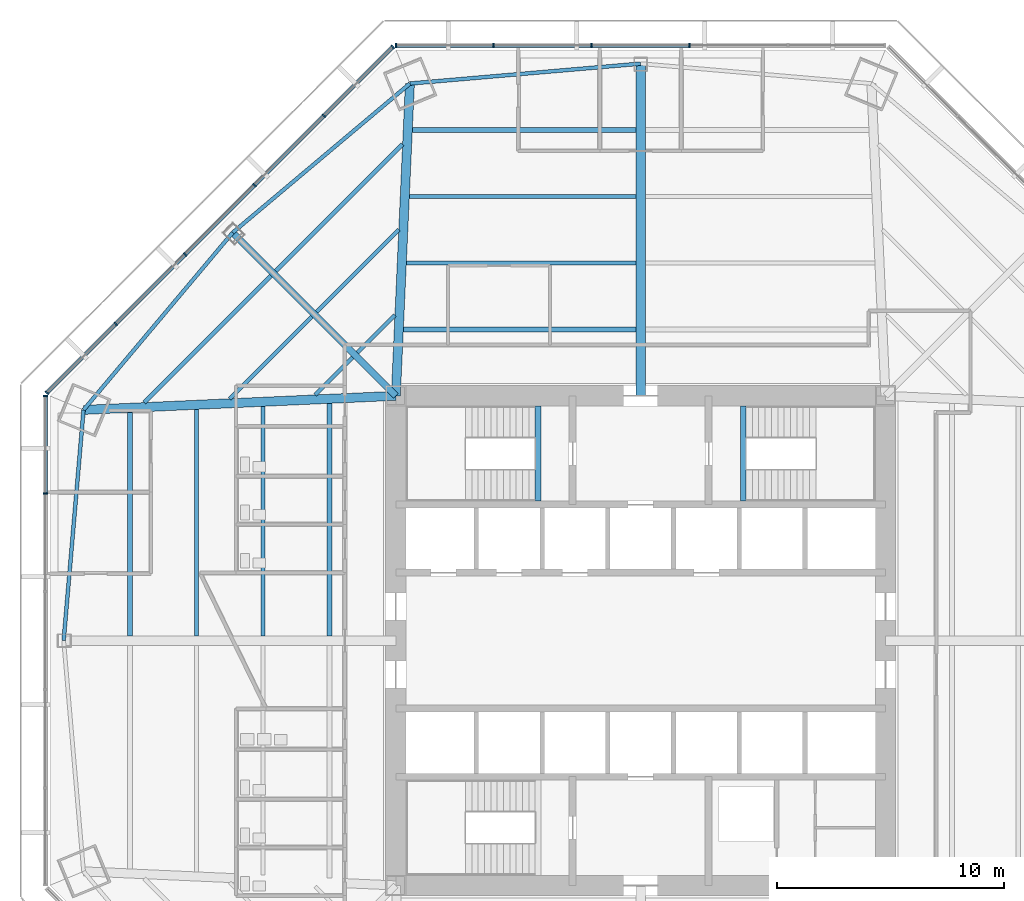
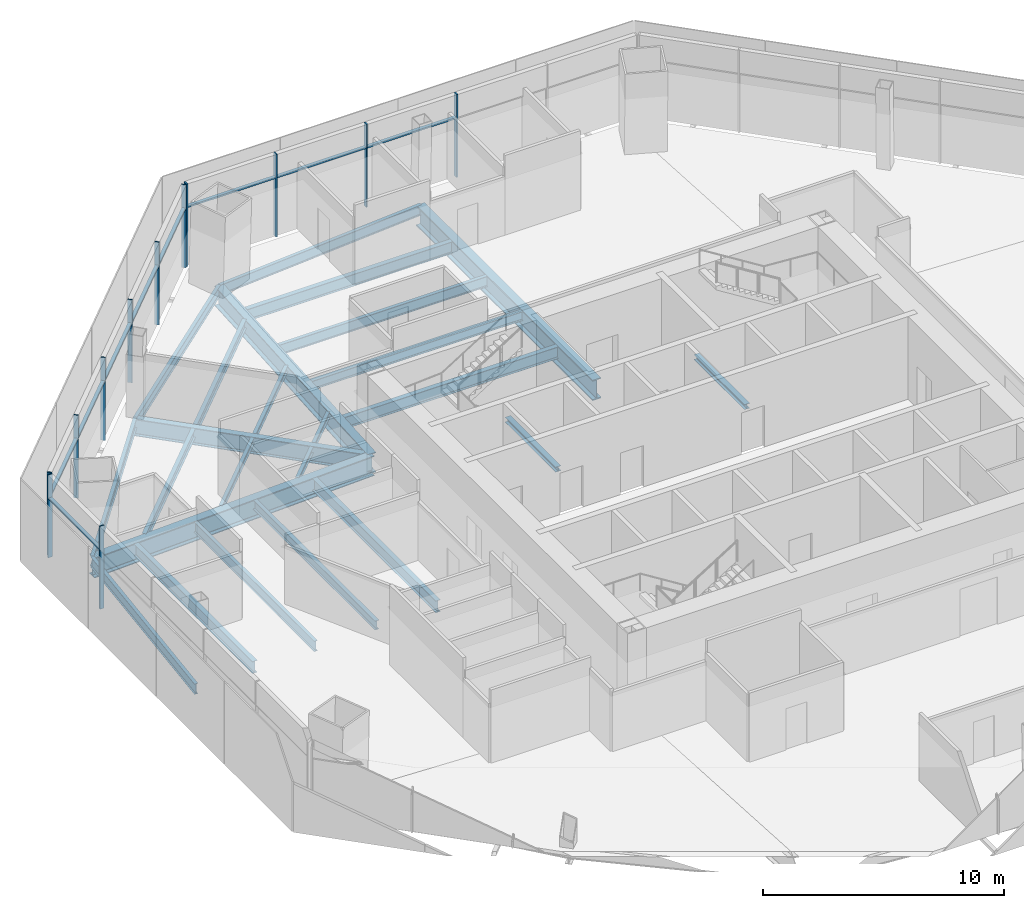
# One storey, part 5 of 15: 24 beams, 21 members, 3 elements without a shape of their own.
"""IFC4 building model written with IfcOpenShell, lengths in metres."""

import ifcopenshell
import ifcopenshell.guid

model = None  # the IFC model being written
_history = None  # IfcOwnerHistory: only IFC2X3 demands one
_inside = {}  # id of a spatial element -> (the spatial element, [elements in it])
_under = {}  # id of a project, library or spatial element -> (it, [spatial elements below it])
_declared = {}  # id of a project -> (the project, [libraries it declares])
_typed = {}  # id of a type object -> (the type object, [elements of that type])
_made_of = {}  # id of a material, layer set ... -> (it, [elements and type objects made of it])


def new_model(schema):
    """Start an empty IFC model of exactly this schema.

    Asked for "IFC4X3", IfcOpenShell would pick the latest addendum, in which some entities
    have other attributes; the version numbers below select the first issue.
    IFC2X3 requires an IfcOwnerHistory on every rooted entity: one is made here for all.
    """
    global model, _history
    if schema == "IFC4X3":
        model = ifcopenshell.file(schema_version=(4, 3, 0, 0))
    else:
        model = ifcopenshell.file(schema=schema)
    _inside.clear()
    _under.clear()
    _declared.clear()
    _typed.clear()
    _made_of.clear()
    _history = None
    if model.schema == "IFC2X3":
        org = make("IfcOrganization", Name="unknown")
        user = make(
            "IfcPersonAndOrganization",
            ThePerson=make("IfcPerson", FamilyName="unknown"),
            TheOrganization=org,
        )
        app = make(
            "IfcApplication",
            ApplicationDeveloper=org,
            Version="unknown",
            ApplicationFullName="unknown",
            ApplicationIdentifier="unknown",
        )
        _history = make(
            "IfcOwnerHistory",
            OwningUser=user,
            OwningApplication=app,
            ChangeAction="ADDED",
            CreationDate=0,
        )
    return model


def make(cls, **values):
    """One entity of the class cls with the attributes given. An attribute that is None is left unset."""
    return model.create_entity(
        cls, **{name: value for name, value in values.items() if value is not None}
    )


def rooted(cls, **values):
    """An entity with a GlobalId (a new one), such as an element, a storey or a relation."""
    return make(cls, GlobalId=ifcopenshell.guid.new(), OwnerHistory=_history, **values)


def si_unit(unit_type, name, prefix=None):
    """IfcSIUnit, for example si_unit("LENGTHUNIT", "METRE", prefix="MILLI")."""
    return make("IfcSIUnit", UnitType=unit_type, Prefix=prefix, Name=name)


def assignment(units):
    """IfcUnitAssignment: the units of a project."""
    return None if units is None else make("IfcUnitAssignment", Units=units)


def point(xyz):
    """IfcCartesianPoint."""
    return None if xyz is None else make("IfcCartesianPoint", Coordinates=xyz)


def direction(xyz):
    """IfcDirection."""
    return None if xyz is None else make("IfcDirection", DirectionRatios=xyz)


def frame(location, z_axis=None, x_axis=None):
    """IfcAxis2Placement3D, a coordinate frame: its origin and axes. An axis left out is left unset."""
    return make(
        "IfcAxis2Placement3D",
        Location=point(location),
        Axis=direction(z_axis),
        RefDirection=direction(x_axis),
    )


def frame_2d(location, x_axis=None):
    """IfcAxis2Placement2D, a coordinate frame in the plane: its origin and x axis."""
    return make(
        "IfcAxis2Placement2D", Location=point(location), RefDirection=direction(x_axis)
    )


def origin():
    """The frame at (0, 0, 0) with its axes left unset."""
    return frame((0.0, 0.0, 0.0))


def origin_2d():
    """The frame at (0, 0) in the plane with its x axis left unset."""
    return frame_2d((0.0, 0.0))


def place(relative_to, where):
    """IfcLocalPlacement: puts the frame where relative to a parent placement (None: the world)."""
    return make(
        "IfcLocalPlacement", PlacementRelTo=relative_to, RelativePlacement=where
    )


def context(
    kind, dimensions, precision=None, world=None, true_north=None, identifier=None
):
    """IfcGeometricRepresentationContext, for example the 3D "Model" context."""
    return make(
        "IfcGeometricRepresentationContext",
        ContextIdentifier=identifier,
        ContextType=kind,
        CoordinateSpaceDimension=dimensions,
        Precision=precision,
        WorldCoordinateSystem=world,
        TrueNorth=true_north,
    )


def subcontext(parent, identifier, kind, view, scale=None):
    """IfcGeometricRepresentationSubContext, for example "Body" below "Model"."""
    return make(
        "IfcGeometricRepresentationSubContext",
        ContextIdentifier=identifier,
        ContextType=kind,
        ParentContext=parent,
        TargetScale=scale,
        TargetView=view,
    )


def project(units=None, contexts=None):
    """IfcProject with its units and contexts."""
    return rooted(
        "IfcProject",
        Name="project",
        RepresentationContexts=contexts,
        UnitsInContext=assignment(units),
    )


def spatial(cls, under=None, at=None, **own):
    """A site, building, storey or space (cls), placed at a placement, below another one or the project."""
    s = rooted(cls, ObjectPlacement=at, **own)
    if under is not None:
        _under.setdefault(under.id(), (under, []))[1].append(s)
    return s


def profile(cls, at=None, kind="AREA", **sizes):
    """A parametric profile (cls). Its sizes go by their IFC names, for example OverallWidth=200.0."""
    return make(cls, ProfileType=kind, Position=at, **sizes)


def rectangle(**sizes):
    """IfcRectangleProfileDef."""
    return profile("IfcRectangleProfileDef", **sizes)


def i_section(**sizes):
    """IfcIShapeProfileDef."""
    return profile("IfcIShapeProfileDef", **sizes)


def extrude(swept, where, along, depth):
    """IfcExtrudedAreaSolid: the profile swept, set in the frame where, extruded along a direction by depth."""
    return make(
        "IfcExtrudedAreaSolid",
        SweptArea=swept,
        Position=where,
        ExtrudedDirection=direction(along),
        Depth=depth,
    )


def shape(context_of_items, identifier, shape_type, items):
    """IfcShapeRepresentation: the items that make up one representation, for example the "Body"."""
    return make(
        "IfcShapeRepresentation",
        ContextOfItems=context_of_items,
        RepresentationIdentifier=identifier,
        RepresentationType=shape_type,
        Items=items,
    )


def source(mapping_origin, context_of_items, identifier, shape_type, items):
    """IfcRepresentationMap: a shape defined once, which mapped items show again and again."""
    return make(
        "IfcRepresentationMap",
        MappingOrigin=mapping_origin,
        MappedRepresentation=shape(context_of_items, identifier, shape_type, items),
    )


def transform(
    local_origin,
    x_axis=None,
    y_axis=None,
    z_axis=None,
    scale=None,
    scale2=None,
    scale3=None,
    uniform=True,
):
    """IfcCartesianTransformationOperator3D, or its non-uniform kind. x_axis, y_axis, z_axis: its Axis1, 2, 3."""
    if uniform:
        return make(
            "IfcCartesianTransformationOperator3D",
            Axis1=direction(x_axis),
            Axis2=direction(y_axis),
            LocalOrigin=point(local_origin),
            Scale=scale,
            Axis3=direction(z_axis),
        )
    return make(
        "IfcCartesianTransformationOperator3DnonUniform",
        Axis1=direction(x_axis),
        Axis2=direction(y_axis),
        LocalOrigin=point(local_origin),
        Scale=scale,
        Axis3=direction(z_axis),
        Scale2=scale2,
        Scale3=scale3,
    )


def mapped(mapping_source, mapping_target):
    """IfcMappedItem: shows the shape of a source again, moved by a transform."""
    return make(
        "IfcMappedItem", MappingSource=mapping_source, MappingTarget=mapping_target
    )


def material(Name=None, Category=None):
    """IfcMaterial."""
    return make("IfcMaterial", Name=Name, Category=Category)


def material_profile(
    of_material, cross_section, Name=None, Category=None, Priority=None
):
    """IfcMaterialProfile: a cross section and its material."""
    return make(
        "IfcMaterialProfile",
        Name=Name,
        Material=of_material,
        Profile=cross_section,
        Priority=Priority,
        Category=Category,
    )


def profile_set(profiles, Name=None, composite=None):
    """IfcMaterialProfileSet."""
    return make(
        "IfcMaterialProfileSet",
        Name=Name,
        MaterialProfiles=profiles,
        CompositeProfile=composite,
    )


def made_of(thing, what):
    """Note that an element or type object is made of a material, layer set ...; save() writes the relation."""
    if what is not None:
        _made_of.setdefault(what.id(), (what, []))[1].append(thing)
    return thing


def type_object(cls, material=None, **own):
    """A type object (cls), such as IfcWallType, which elements share."""
    return made_of(rooted(cls, **own), material)


def type_shapes(of_type, sources):
    """Give a type object the sources (RepresentationMaps) that its elements show as mapped items."""
    of_type.RepresentationMaps = sources


def element(
    cls,
    number,
    at=None,
    inside=None,
    cuts=None,
    type_object=None,
    material=None,
    context=None,
    identifier="Body",
    shape_type=None,
    held_by="IfcProductDefinitionShape",
    body=None,
    shapes=None,
    **own,
):
    """One element of the class cls, such as IfcWall. Its Tag is "e" and its number.

    at: its placement. inside: the storey or other place that contains it. cuts: it is an
    opening in that element (IfcRelVoidsElement). A single representation is given by context,
    identifier, shape_type and body (its items); several are given by shapes. held_by: the class
    of the entity that holds the representations. save() writes the other relations.
    """
    e = rooted(cls, Tag="e%d" % number, ObjectPlacement=at, **own)
    if body is not None:
        shapes = [shape(context, identifier, shape_type, body)]
    if shapes is not None:
        e.Representation = make(held_by, Representations=shapes)
    if inside is not None:
        _inside.setdefault(inside.id(), (inside, []))[1].append(e)
    if cuts is not None:
        rooted(
            "IfcRelVoidsElement", RelatingBuildingElement=cuts, RelatedOpeningElement=e
        )
    if type_object is not None:
        _typed.setdefault(type_object.id(), (type_object, []))[1].append(e)
    return made_of(e, material)


def aggregate(whole, parts):
    """IfcRelAggregates: a whole, such as a stair, and the parts it consists of."""
    return rooted("IfcRelAggregates", RelatingObject=whole, RelatedObjects=parts)


def save(model, path):
    """Write the relations noted so far, then the file.

    IfcRelAggregates (storeys below a building ...), IfcRelContainedInSpatialStructure (elements
    in a storey), IfcRelDefinesByType, IfcRelAssociatesMaterial and IfcRelDeclares: one each for
    every whole, place, type object, material and project.
    """
    for whole, parts in _under.values():
        aggregate(whole, parts)
    for where, things in _inside.values():
        rooted(
            "IfcRelContainedInSpatialStructure",
            RelatedElements=things,
            RelatingStructure=where,
        )
    for kind, things in _typed.values():
        rooted("IfcRelDefinesByType", RelatedObjects=things, RelatingType=kind)
    for what, things in _made_of.values():
        rooted("IfcRelAssociatesMaterial", RelatedObjects=things, RelatingMaterial=what)
    for by, libraries in _declared.values():
        rooted("IfcRelDeclares", RelatingContext=by, RelatedDefinitions=libraries)
    model.write(path)


model = new_model("IFC4")

# Units and contexts
model_context = context("Model", 3, precision=1e-05, world=origin(), true_north=direction((0.0, 1.0)))
body_context = subcontext(model_context, "Body", "Model", "MODEL_VIEW")
ifc_project = project(units=[si_unit("LENGTHUNIT", "METRE"), si_unit("AREAUNIT", "SQUARE_METRE"), si_unit("VOLUMEUNIT", "CUBIC_METRE"), si_unit("PLANEANGLEUNIT", "RADIAN"), si_unit("MASSUNIT", "GRAM", prefix="KILO")], contexts=[model_context])

# Site, building, storey
site_placement = place(None, origin())
site = spatial("IfcSite", under=ifc_project, at=site_placement, CompositionType="ELEMENT")
building_placement = place(site_placement, origin())
building = spatial("IfcBuilding", under=site, at=building_placement, Name="Mashrafa Tower", CompositionType="ELEMENT")
storey_placement = place(building_placement, frame((0.0, 0.0, 62.39990234375)))
storey = spatial("IfcBuildingStorey", under=building, at=storey_placement, Name="L13", CompositionType="ELEMENT", Elevation=62.39990234375)

# Beams
ifc_material_1 = material(Name="Steel ASTM A992", Category="steel")
ifc_material_profile_1 = material_profile(ifc_material_1, i_section(OverallWidth=0.164794921875, OverallDepth=0.309814453125, WebThickness=0.005859375, FlangeThickness=0.009765625, FilletRadius=0.007568359375, at=origin_2d()), Name="W12X26")
ifc_profile_set_1 = profile_set([ifc_material_profile_1], Name="Steel ASTM A992")
beam_type_1 = type_object("IfcBeamType", Name="Beam W12X26", PredefinedType="BEAM", material=ifc_profile_set_1)
beam_1_placement = place(storey_placement, frame((-18.1279296875, 10.6708984375, -0.31982421875), z_axis=(0.707106781187, 0.707106781187, 0.0), x_axis=(-0.707106781187, 0.707106781187, 0.0)))
element("IfcBeam", 1, at=beam_1_placement, inside=storey, type_object=beam_type_1, Name="Floor beam L13 006", PredefinedType="BEAM", context=body_context, shape_type="SweptSolid", body=[
    extrude(i_section(OverallWidth=0.164794921875, OverallDepth=0.309814453125, WebThickness=0.005859375, FlangeThickness=0.009765625, FilletRadius=0.007568359375, at=origin_2d()), origin(), (0.0, 0.0, 1.0), 5.126953125),
])
beam_2_placement = place(storey_placement, frame((-14.35888671875, 10.840576171875, -0.31982421875), z_axis=(0.707158906562, 0.707054651968, 0.0), x_axis=(-0.707054651968, 0.707158906562, 0.0)))
element("IfcBeam", 2, at=beam_2_placement, inside=storey, type_object=beam_type_1, Name="Floor beam L13 011", PredefinedType="BEAM", context=body_context, shape_type="SweptSolid", body=[
    extrude(i_section(OverallWidth=0.164794921875, OverallDepth=0.309814453125, WebThickness=0.005859375, FlangeThickness=0.009765625, FilletRadius=0.007568359375, at=origin_2d()), origin(), (0.0, 0.0, 1.0), 2.341796875),
])
beam_3_placement = place(storey_placement, frame((-14.296142578125, 14.502685546875, -0.31982421875), z_axis=(0.707106781187, 0.707106781187, 0.0), x_axis=(-0.707106781187, 0.707106781187, 0.0)))
element("IfcBeam", 3, at=beam_3_placement, inside=storey, type_object=beam_type_1, Name="Floor beam L13 013", PredefinedType="BEAM", context=body_context, shape_type="SweptSolid", body=[
    extrude(i_section(OverallWidth=0.164794921875, OverallDepth=0.309814453125, WebThickness=0.005859375, FlangeThickness=0.009765625, FilletRadius=0.007568359375, at=origin_2d()), origin(), (0.0, 0.0, 1.0), 5.126953125),
])
beam_4_placement = place(storey_placement, frame((-12.496337890625, 12.702880859375, -0.31982421875), z_axis=(0.707054651968, 0.707158906562, 0.0), x_axis=(-0.707158906562, 0.707054651968, 0.0)))
element("IfcBeam", 4, at=beam_4_placement, inside=storey, type_object=beam_type_1, Name="Floor beam L13 017", PredefinedType="BEAM", context=body_context, shape_type="SweptSolid", body=[
    extrude(i_section(OverallWidth=0.164794921875, OverallDepth=0.309814453125, WebThickness=0.005859375, FlangeThickness=0.009765625, FilletRadius=0.007568359375, at=origin_2d()), origin(), (0.0, 0.0, 1.0), 2.341796875),
])
ifc_material_2 = material(Name="Steel ASTM A992", Category="steel")
ifc_material_profile_2 = material_profile(ifc_material_2, i_section(OverallWidth=0.191162109375, OverallDepth=0.459716796875, WebThickness=0.010009765625, FlangeThickness=0.01611328125, FilletRadius=0.01025390625, at=origin_2d()), Name="W18X55")
ifc_profile_set_2 = profile_set([ifc_material_profile_2], Name="Steel ASTM A992")
beam_type_2 = type_object("IfcBeamType", Name="Beam W18X55", PredefinedType="BEAM", material=ifc_profile_set_2)
beam_5_placement = place(storey_placement, frame((-21.89697265625, 10.501220703125, -0.394775390625), z_axis=(0.707106781187, 0.707106781187, 0.0), x_axis=(-0.707106781187, 0.707106781187, 0.0)))
element("IfcBeam", 5, at=beam_5_placement, inside=storey, type_object=beam_type_2, Name="Floor beam L13 003", PredefinedType="BEAM", context=body_context, shape_type="SweptSolid", body=[
    extrude(i_section(OverallWidth=0.191162109375, OverallDepth=0.459716796875, WebThickness=0.010009765625, FlangeThickness=0.01611328125, FilletRadius=0.01025390625, at=origin_2d()), origin(), (0.0, 0.0, 1.0), 7.911865234375),
])
beam_6_placement = place(storey_placement, frame((-16.66162109375, 0.20458984375, -0.394775390625), z_axis=(0.0, 1.0, 0.0), x_axis=(-1.0, 0.0, 0.0)))
element("IfcBeam", 6, at=beam_6_placement, inside=storey, type_object=beam_type_2, Name="Floor beam L13 008", PredefinedType="BEAM", context=body_context, shape_type="SweptSolid", body=[
    extrude(i_section(OverallWidth=0.191162109375, OverallDepth=0.459716796875, WebThickness=0.010009765625, FlangeThickness=0.01611328125, FilletRadius=0.01025390625, at=origin_2d()), origin(), (0.0, 0.0, 1.0), 10.130615234375),
])
beam_7_placement = place(storey_placement, frame((-16.095703125, 16.302490234375, -0.394775390625), z_axis=(0.707106781187, 0.707106781187, 0.0), x_axis=(-0.707106781187, 0.707106781187, 0.0)))
element("IfcBeam", 7, at=beam_7_placement, inside=storey, type_object=beam_type_2, Name="Floor beam L13 010", PredefinedType="BEAM", context=body_context, shape_type="SweptSolid", body=[
    extrude(i_section(OverallWidth=0.191162109375, OverallDepth=0.459716796875, WebThickness=0.010009765625, FlangeThickness=0.01611328125, FilletRadius=0.01025390625, at=origin_2d()), origin(), (0.0, 0.0, 1.0), 7.911865234375),
])
beam_8_placement = place(storey_placement, frame((-10.335205078125, 16.66162109375, -0.394775390625), z_axis=(1.0, 0.0, 0.0), x_axis=(0.0, 1.0, 0.0)))
element("IfcBeam", 8, at=beam_8_placement, inside=storey, type_object=beam_type_2, Name="Floor beam L13 020", PredefinedType="BEAM", context=body_context, shape_type="SweptSolid", body=[
    extrude(i_section(OverallWidth=0.191162109375, OverallDepth=0.459716796875, WebThickness=0.010009765625, FlangeThickness=0.01611328125, FilletRadius=0.01025390625, at=origin_2d()), origin(), (0.0, 0.0, 1.0), 10.130615234375),
])
ifc_material_3 = material(Name="Steel ASTM A992", Category="steel")
ifc_material_profile_3 = material_profile(ifc_material_3, i_section(OverallWidth=0.165771484375, OverallDepth=0.5283203125, WebThickness=0.009765625, FlangeThickness=0.013671875, FilletRadius=0.012939453125, at=origin_2d()), Name="W21X50")
ifc_profile_set_3 = profile_set([ifc_material_profile_3], Name="Steel ASTM A992")
beam_type_3 = type_object("IfcBeamType", Name="Beam W21X50", PredefinedType="BEAM", material=ifc_profile_set_3)
for number, where, z_axis, x_axis, name in (
    (9, (-19.592529296875, 0.20458984375, -0.428955078125), (0.0, 1.0, 0.0), (-1.0, 0.0, 0.0), "Floor beam L13 005"),
    (10, (-10.203125, 19.592529296875, -0.428955078125), (1.0, 0.0, 0.0), (0.0, 1.0, 0.0), "Floor beam L13 022"),
):
    element("IfcBeam", number, at=place(storey_placement, frame(where, z_axis=z_axis, x_axis=x_axis)), inside=storey, type_object=beam_type_3, Name=name, PredefinedType="BEAM", context=body_context, shape_type="SweptSolid", body=[
        extrude(i_section(OverallWidth=0.165771484375, OverallDepth=0.5283203125, WebThickness=0.009765625, FlangeThickness=0.013671875, FilletRadius=0.012939453125, at=origin_2d()), origin(), (0.0, 0.0, 1.0), 9.99853515625),
    ])
for number, where, z_axis, x_axis, name in (
    (11, (-24.575927734375, 10.1796875, -0.428955078125), (-0.085948046194, -0.996299620273, 0.0), (0.996299620273, -0.085948046194, 0.0), "Spandrel beam L13 075"),
    (12, (-17.998779296875, 17.998779296875, -0.428955078125), (-0.64371476628, -0.765265509267, 0.0), (0.765265509267, -0.64371476628, 0.0), "Spandrel beam L13 077"),
    (13, (-10.1796875, 24.575927734375, -0.428955078125), (-0.765265509267, -0.64371476628, 0.0), (0.64371476628, -0.765265509267, 0.0), "Spandrel beam L13 079"),
    (14, (0.0, 25.4541015625, -0.428955078125), (-0.996299620273, -0.085948046194, 0.0), (0.085948046194, -0.996299620273, 0.0), "Spandrel beam L13 081"),
):
    element("IfcBeam", number, at=place(storey_placement, frame(where, z_axis=z_axis, x_axis=x_axis)), inside=storey, type_object=beam_type_3, Name=name, PredefinedType="BEAM", context=body_context, shape_type="SweptSolid", body=[
        extrude(i_section(OverallWidth=0.165771484375, OverallDepth=0.5283203125, WebThickness=0.009765625, FlangeThickness=0.013671875, FilletRadius=0.012939453125, at=origin_2d()), origin(), (0.0, 0.0, 1.0), 10.217529296875),
    ])
ifc_material_4 = material(Name="Steel ASTM A992", Category="steel")
ifc_material_profile_4 = material_profile(ifc_material_4, i_section(OverallWidth=0.227783203125, OverallDepth=0.60205078125, WebThickness=0.010498046875, FlangeThickness=0.014892578125, FilletRadius=0.012939453125, at=origin_2d()), Name="W24X68")
ifc_profile_set_4 = profile_set([ifc_material_profile_4], Name="Steel ASTM A992")
beam_type_4 = type_object("IfcBeamType", Name="Beam W24X68", PredefinedType="BEAM", material=ifc_profile_set_4)
beam_9_placement = place(storey_placement, frame((-22.5234375, 0.20458984375, -0.4658203125), z_axis=(0.0, 1.0, 0.0), x_axis=(-1.0, 0.0, 0.0)))
element("IfcBeam", 15, at=beam_9_placement, inside=storey, type_object=beam_type_4, Name="Floor beam L13 002", PredefinedType="BEAM", context=body_context, shape_type="SweptSolid", body=[
    extrude(i_section(OverallWidth=0.227783203125, OverallDepth=0.60205078125, WebThickness=0.010498046875, FlangeThickness=0.014892578125, FilletRadius=0.012939453125, at=origin_2d()), origin(), (0.0, 0.0, 1.0), 9.86669921875),
])
for number, where, z_axis, x_axis, name in (
    (16, (-13.730712890625, 0.20458984375, -0.4658203125), (0.0, 1.0, 0.0), (-1.0, 0.0, 0.0), "Floor beam L13 015"),
    (17, (-10.467041015625, 13.730712890625, -0.4658203125), (1.0, 0.0, 0.0), (0.0, 1.0, 0.0), "Floor beam L13 018"),
):
    element("IfcBeam", number, at=place(storey_placement, frame(where, z_axis=z_axis, x_axis=x_axis)), inside=storey, type_object=beam_type_4, Name=name, PredefinedType="BEAM", context=body_context, shape_type="SweptSolid", body=[
        extrude(i_section(OverallWidth=0.227783203125, OverallDepth=0.60205078125, WebThickness=0.010498046875, FlangeThickness=0.014892578125, FilletRadius=0.012939453125, at=origin_2d()), origin(), (0.0, 0.0, 1.0), 10.262451171875),
    ])
beam_10_placement = place(storey_placement, frame((-10.0712890625, 22.5234375, -0.4658203125), z_axis=(1.0, 0.0, 0.0), x_axis=(0.0, 1.0, 0.0)))
element("IfcBeam", 18, at=beam_10_placement, inside=storey, type_object=beam_type_4, Name="Floor beam L13 024", PredefinedType="BEAM", context=body_context, shape_type="SweptSolid", body=[
    extrude(i_section(OverallWidth=0.227783203125, OverallDepth=0.60205078125, WebThickness=0.010498046875, FlangeThickness=0.014892578125, FilletRadius=0.012939453125, at=origin_2d()), origin(), (0.0, 0.0, 1.0), 9.86669921875),
])
ifc_material_5 = material(Name="Steel ASTM A992", Category="steel")
ifc_material_profile_5 = material_profile(ifc_material_5, i_section(OverallWidth=0.2919921875, OverallDepth=0.8583984375, WebThickness=0.01708984375, FlangeThickness=0.031005859375, FilletRadius=0.017822265625, at=origin_2d()), Name="W33X169")
ifc_profile_set_5 = profile_set([ifc_material_profile_5], Name="Steel ASTM A992")
beam_type_5 = type_object("IfcBeamType", Name="Beam W33X169", PredefinedType="BEAM", material=ifc_profile_set_5)
beam_11_placement = place(storey_placement, frame((-10.800048828125, 10.800048828125, -0.59423828125), z_axis=(-0.707106781187, 0.707106781187, 0.0), x_axis=(-0.707106781187, -0.707106781187, 0.0)))
element("IfcBeam", 19, at=beam_11_placement, inside=storey, type_object=beam_type_5, Name="Radial girder L13 062", PredefinedType="BEAM", context=body_context, shape_type="SweptSolid", body=[
    extrude(i_section(OverallWidth=0.2919921875, OverallDepth=0.8583984375, WebThickness=0.01708984375, FlangeThickness=0.031005859375, FilletRadius=0.017822265625, at=origin_2d()), origin(), (0.0, 0.0, 1.0), 10.1806640625),
])
ifc_material_6 = material(Name="Steel ASTM A992", Category="steel")
ifc_material_profile_6 = material_profile(ifc_material_6, i_section(OverallWidth=0.4013671875, OverallDepth=1.010986328125, WebThickness=0.023681640625, FlangeThickness=0.0419921875, FilletRadius=0.02001953125, at=origin_2d()), Name="W40X297")
ifc_profile_set_6 = profile_set([ifc_material_profile_6], Name="Steel ASTM A992")
beam_type_6 = type_object("IfcBeamType", Name="Beam W40X297", PredefinedType="BEAM", material=ifc_profile_set_6)
for number, where, z_axis, x_axis, name in (
    (20, (-10.800048828125, 10.800048828125, -0.67041015625), (-0.998987579611, -0.044986840105, 0.0), (0.044986840105, -0.998987579611, 0.0), "Radial girder L13 061"),
    (21, (-10.800048828125, 10.800048828125, -0.67041015625), (0.044986840105, 0.998987579611, 0.0), (-0.998987579611, 0.044986840105, 0.0), "Radial girder L13 063"),
):
    element("IfcBeam", number, at=place(storey_placement, frame(where, z_axis=z_axis, x_axis=x_axis)), inside=storey, type_object=beam_type_6, Name=name, PredefinedType="BEAM", context=body_context, shape_type="SweptSolid", body=[
        extrude(i_section(OverallWidth=0.4013671875, OverallDepth=1.010986328125, WebThickness=0.023681640625, FlangeThickness=0.0419921875, FilletRadius=0.02001953125, at=origin_2d()), origin(), (0.0, 0.0, 1.0), 13.789794921875),
    ])
ifc_material_7 = material(Name="Steel ASTM A992", Category="steel")
ifc_material_profile_7 = material_profile(ifc_material_7, i_section(OverallWidth=0.408935546875, OverallDepth=1.04150390625, WebThickness=0.031005859375, FlangeThickness=0.055908203125, FilletRadius=0.020263671875, at=origin_2d()), Name="W40X397")
ifc_profile_set_7 = profile_set([ifc_material_profile_7], Name="Steel ASTM A992")
beam_type_7 = type_object("IfcBeamType", Name="Beam W40X397", PredefinedType="BEAM", material=ifc_profile_set_7)
beam_12_placement = place(storey_placement, frame((0.0, 10.800048828125, -0.685546875), z_axis=(0.0, 1.0, 0.0), x_axis=(-1.0, 0.0, 0.0)))
element("IfcBeam", 22, at=beam_12_placement, inside=storey, type_object=beam_type_7, Name="Radial girder L13 065", PredefinedType="BEAM", context=body_context, shape_type="SweptSolid", body=[
    extrude(i_section(OverallWidth=0.408935546875, OverallDepth=1.04150390625, WebThickness=0.031005859375, FlangeThickness=0.055908203125, FilletRadius=0.020263671875, at=origin_2d()), origin(), (0.0, 0.0, 1.0), 14.654052734375),
])
ifc_material_8 = material(Name="Steel ASTM A992", Category="steel")
ifc_material_profile_8 = material_profile(ifc_material_8, i_section(OverallWidth=0.25390625, OverallDepth=0.25390625, WebThickness=0.008544921875, FlangeThickness=0.01416015625, FilletRadius=0.010009765625, at=origin_2d()), Name="W10X49")
ifc_profile_set_8 = profile_set([ifc_material_profile_8], Name="Steel ASTM A992")
beam_type_8 = type_object("IfcBeamType", Name="Hoistway beam W10X49", PredefinedType="BEAM", material=ifc_profile_set_8)
for number, where, z_axis, x_axis, name in (
    (23, (-4.530029296875, 6.14990234375, -0.326904296875), (0.0, 1.0, 0.0), (-1.0, 0.0, 0.0), "Stair S1 landing beam L13"),
    (24, (4.530029296875, 6.14990234375, -0.326904296875), (0.0, 1.0, 0.0), (-1.0, 0.0, 0.0), "Stair S2 landing beam L13"),
):
    element("IfcBeam", number, at=place(storey_placement, frame(where, z_axis=z_axis, x_axis=x_axis)), inside=storey, type_object=beam_type_8, Name=name, PredefinedType="BEAM", context=body_context, shape_type="SweptSolid", body=[
        extrude(i_section(OverallWidth=0.25390625, OverallDepth=0.25390625, WebThickness=0.008544921875, FlangeThickness=0.01416015625, FilletRadius=0.010009765625, at=origin_2d()), origin(), (0.0, 0.0, 1.0), 4.2001953125),
    ])

# Curtain wall, members
ifc_material_9 = material(Name="Unitised aluminium curtain wall", Category="aluminium")
curtain_wall_type = type_object("IfcCurtainWallType", Name="Office curtain wall, zone 1 CW-A 200 deep", PredefinedType="NOTDEFINED", material=ifc_material_9)
curtain_wall_1_placement = place(storey_placement, origin())
curtain_wall_1 = element("IfcCurtainWall", 25, at=curtain_wall_1_placement, inside=storey, type_object=curtain_wall_type, Name="Office curtain wall, zone 1 L13 north", PredefinedType="NOTDEFINED")
ifc_material_10 = material(Name="Extruded aluminium mullion", Category="aluminium")
ifc_material_profile_9 = material_profile(ifc_material_10, rectangle(XDim=0.199951171875, YDim=0.06494140625, at=origin_2d()), Name="Mullion 65x200")
ifc_profile_set_9 = profile_set([ifc_material_profile_9], Name="Extruded aluminium mullion")
member_type_1 = type_object("IfcMemberType", Name="Mullion CW-A 65 x 200", PredefinedType="MULLION", material=ifc_profile_set_9)
shared_shape_1 = source(origin(), body_context, "Body", "SweptSolid", [
    extrude(rectangle(XDim=0.199951171875, YDim=0.06494140625, at=origin_2d()), origin(), (0.0, 0.0, 1.0), 4.2001953125),
])
type_shapes(member_type_1, [shared_shape_1])
member_1_placement = place(storey_placement, frame((2.164306640625, 26.24951171875, 0.0), z_axis=(0.0, 0.0, 1.0), x_axis=(0.0, -1.0, 0.0)))
member_1 = element("IfcMember", 26, at=member_1_placement, type_object=member_type_1, Name="CW-A mullion 3", PredefinedType="MULLION", context=body_context, shape_type="MappedRepresentation", body=[
    mapped(shared_shape_1, transform((0.0, 0.0, 0.0))),
])
member_2_placement = place(storey_placement, frame((-2.164306640625, 26.24951171875, 0.0), z_axis=(0.0, 0.0, 1.0), x_axis=(0.0, -1.0, 0.0)))
member_2 = element("IfcMember", 27, at=member_2_placement, type_object=member_type_1, Name="CW-A mullion 4", PredefinedType="MULLION", context=body_context, shape_type="MappedRepresentation", body=[
    mapped(shared_shape_1, transform((0.0, 0.0, 0.0))),
])
member_3_placement = place(storey_placement, frame((-6.492919921875, 26.24951171875, 0.0), z_axis=(0.0, 0.0, 1.0), x_axis=(0.0, -1.0, 0.0)))
member_3 = element("IfcMember", 28, at=member_3_placement, type_object=member_type_1, Name="CW-A mullion 5", PredefinedType="MULLION", context=body_context, shape_type="MappedRepresentation", body=[
    mapped(shared_shape_1, transform((0.0, 0.0, 0.0))),
])
member_4_placement = place(storey_placement, frame((-10.7890625, 26.24951171875, 0.0), z_axis=(0.0, 0.0, 1.0), x_axis=(0.0, -1.0, 0.0)))
member_4 = element("IfcMember", 29, at=member_4_placement, type_object=member_type_1, Name="CW-A mullion 6", PredefinedType="MULLION", context=body_context, shape_type="MappedRepresentation", body=[
    mapped(shared_shape_1, transform((0.0, 0.0, 0.0))),
])

curtain_wall_2_placement = place(storey_placement, origin())
curtain_wall_2 = element("IfcCurtainWall", 30, at=curtain_wall_2_placement, inside=storey, type_object=curtain_wall_type, Name="Office curtain wall, zone 1 L13 north-west", PredefinedType="NOTDEFINED")
member_5_placement = place(storey_placement, frame((-10.93212890625, 26.190185546875, 0.0), z_axis=(0.0, 0.0, 1.0), x_axis=(0.707106781187, -0.707106781187, 0.0)))
member_5 = element("IfcMember", 31, at=member_5_placement, type_object=member_type_1, Name="CW-A mullion 1", PredefinedType="MULLION", context=body_context, shape_type="MappedRepresentation", body=[
    mapped(shared_shape_1, transform((0.0, 0.0, 0.0))),
])
member_6_placement = place(storey_placement, frame((-13.969970703125, 23.15234375, 0.0), z_axis=(0.0, 0.0, 1.0), x_axis=(0.707106781187, -0.707106781187, 0.0)))
member_6 = element("IfcMember", 32, at=member_6_placement, type_object=member_type_1, Name="CW-A mullion 2", PredefinedType="MULLION", context=body_context, shape_type="MappedRepresentation", body=[
    mapped(shared_shape_1, transform((0.0, 0.0, 0.0))),
])
member_7_placement = place(storey_placement, frame((-17.03076171875, 20.091552734375, 0.0), z_axis=(0.0, 0.0, 1.0), x_axis=(0.707106781187, -0.707106781187, 0.0)))
member_7 = element("IfcMember", 33, at=member_7_placement, type_object=member_type_1, Name="CW-A mullion 3", PredefinedType="MULLION", context=body_context, shape_type="MappedRepresentation", body=[
    mapped(shared_shape_1, transform((0.0, 0.0, 0.0))),
])
member_8_placement = place(storey_placement, frame((-20.091552734375, 17.03076171875, 0.0), z_axis=(0.0, 0.0, 1.0), x_axis=(0.707106781187, -0.707106781187, 0.0)))
member_8 = element("IfcMember", 34, at=member_8_placement, type_object=member_type_1, Name="CW-A mullion 4", PredefinedType="MULLION", context=body_context, shape_type="MappedRepresentation", body=[
    mapped(shared_shape_1, transform((0.0, 0.0, 0.0))),
])
member_9_placement = place(storey_placement, frame((-23.15234375, 13.969970703125, 0.0), z_axis=(0.0, 0.0, 1.0), x_axis=(0.707106781187, -0.707106781187, 0.0)))
member_9 = element("IfcMember", 35, at=member_9_placement, type_object=member_type_1, Name="CW-A mullion 5", PredefinedType="MULLION", context=body_context, shape_type="MappedRepresentation", body=[
    mapped(shared_shape_1, transform((0.0, 0.0, 0.0))),
])
member_10_placement = place(storey_placement, frame((-26.190185546875, 10.93212890625, 0.0), z_axis=(0.0, 0.0, 1.0), x_axis=(0.707106781187, -0.707106781187, 0.0)))
member_10 = element("IfcMember", 36, at=member_10_placement, type_object=member_type_1, Name="CW-A mullion 6", PredefinedType="MULLION", context=body_context, shape_type="MappedRepresentation", body=[
    mapped(shared_shape_1, transform((0.0, 0.0, 0.0))),
])

curtain_wall_3_placement = place(storey_placement, origin())
curtain_wall_3 = element("IfcCurtainWall", 37, at=curtain_wall_3_placement, inside=storey, type_object=curtain_wall_type, Name="Office curtain wall, zone 1 L13 west", PredefinedType="NOTDEFINED")
member_11_placement = place(storey_placement, frame((-26.24951171875, 10.7890625, 0.0), z_axis=(0.0, 0.0, 1.0), x_axis=(1.0, 0.0, 0.0)))
member_11 = element("IfcMember", 38, at=member_11_placement, type_object=member_type_1, Name="CW-A mullion 1", PredefinedType="MULLION", context=body_context, shape_type="MappedRepresentation", body=[
    mapped(shared_shape_1, transform((0.0, 0.0, 0.0))),
])
member_12_placement = place(storey_placement, frame((-26.24951171875, 6.492919921875, 0.0), z_axis=(0.0, 0.0, 1.0), x_axis=(1.0, 0.0, 0.0)))
member_12 = element("IfcMember", 39, at=member_12_placement, type_object=member_type_1, Name="CW-A mullion 2", PredefinedType="MULLION", context=body_context, shape_type="MappedRepresentation", body=[
    mapped(shared_shape_1, transform((0.0, 0.0, 0.0))),
])

# Member
ifc_material_11 = material(Name="Extruded aluminium transom", Category="aluminium")
ifc_material_profile_10 = material_profile(ifc_material_11, rectangle(XDim=0.159912109375, YDim=0.080078125, at=origin_2d()), Name="Transom 80x160")
ifc_profile_set_10 = profile_set([ifc_material_profile_10], Name="Extruded aluminium transom")
member_type_2 = type_object("IfcMemberType", Name="Transom CW-A 80 x 160", PredefinedType="MULLION", material=ifc_profile_set_10)
shared_shape_2 = source(origin(), body_context, "Body", "SweptSolid", [
    extrude(rectangle(XDim=0.159912109375, YDim=0.080078125, at=origin_2d()), origin(), (0.0, 0.0, 1.0), 4.231201171875),
])
member_13_placement = place(storey_placement, frame((-6.525390625, 26.24951171875, 3.0), z_axis=(-1.0, 0.0, 0.0), x_axis=(0.0, -1.0, 0.0)))
member_13 = element("IfcMember", 40, at=member_13_placement, type_object=member_type_2, Name="CW-A transom 5", PredefinedType="MULLION", context=body_context, shape_type="MappedRepresentation", body=[
    mapped(shared_shape_2, transform((0.0, 0.0, 0.0))),
])

member_14_placement = place(storey_placement, frame((-26.24951171875, 10.756591796875, 3.0), z_axis=(0.0, -1.0, 0.0), x_axis=(1.0, 0.0, 0.0)))
member_14 = element("IfcMember", 41, at=member_14_placement, type_object=member_type_2, Name="CW-A transom 1", PredefinedType="MULLION", context=body_context, shape_type="MappedRepresentation", body=[
    mapped(shared_shape_2, transform((0.0, 0.0, 0.0))),
])

aggregate(curtain_wall_3, [member_11, member_12, member_14])

shared_shape_3 = source(origin(), body_context, "Body", "SweptSolid", [
    extrude(rectangle(XDim=0.159912109375, YDim=0.080078125, at=origin_2d()), origin(), (0.0, 0.0, 1.0), 4.263671875),
])
member_15_placement = place(storey_placement, frame((2.1318359375, 26.24951171875, 3.0), z_axis=(-1.0, 0.0, 0.0), x_axis=(0.0, -1.0, 0.0)))
member_15 = element("IfcMember", 42, at=member_15_placement, type_object=member_type_2, Name="CW-A transom 3", PredefinedType="MULLION", context=body_context, shape_type="MappedRepresentation", body=[
    mapped(shared_shape_3, transform((0.0, 0.0, 0.0))),
])

member_16_placement = place(storey_placement, frame((-2.19677734375, 26.24951171875, 3.0), z_axis=(-1.0, 0.0, 0.0), x_axis=(0.0, -1.0, 0.0)))
member_16 = element("IfcMember", 43, at=member_16_placement, type_object=member_type_2, Name="CW-A transom 4", PredefinedType="MULLION", context=body_context, shape_type="MappedRepresentation", body=[
    mapped(shared_shape_3, transform((0.0, 0.0, 0.0))),
])

aggregate(curtain_wall_1, [member_1, member_2, member_3, member_4, member_15, member_16, member_13])

member_17_placement = place(storey_placement, frame((-13.992919921875, 23.12939453125, 3.0), z_axis=(-0.707106781187, -0.707106781187, 0.0), x_axis=(0.707106781187, -0.707106781187, 0.0)))
member_17 = element("IfcMember", 44, at=member_17_placement, type_object=member_type_2, Name="CW-A transom 2", PredefinedType="MULLION", context=body_context, shape_type="MappedRepresentation", body=[
    mapped(shared_shape_3, transform((0.0, 0.0, 0.0))),
])

member_18_placement = place(storey_placement, frame((-17.0537109375, 20.068603515625, 3.0), z_axis=(-0.707106781187, -0.707106781187, 0.0), x_axis=(0.707106781187, -0.707106781187, 0.0)))
member_18 = element("IfcMember", 45, at=member_18_placement, type_object=member_type_2, Name="CW-A transom 3", PredefinedType="MULLION", context=body_context, shape_type="MappedRepresentation", body=[
    mapped(shared_shape_3, transform((0.0, 0.0, 0.0))),
])

member_19_placement = place(storey_placement, frame((-20.114501953125, 17.0078125, 3.0), z_axis=(-0.707106781187, -0.707106781187, 0.0), x_axis=(0.707106781187, -0.707106781187, 0.0)))
member_19 = element("IfcMember", 46, at=member_19_placement, type_object=member_type_2, Name="CW-A transom 4", PredefinedType="MULLION", context=body_context, shape_type="MappedRepresentation", body=[
    mapped(shared_shape_3, transform((0.0, 0.0, 0.0))),
])

shared_shape_4 = source(origin(), body_context, "Body", "SweptSolid", [
    extrude(rectangle(XDim=0.159912109375, YDim=0.080078125, at=origin_2d()), origin(), (0.0, 0.0, 1.0), 4.23095703125),
])
type_shapes(member_type_2, [shared_shape_2, shared_shape_3, shared_shape_4])
member_20_placement = place(storey_placement, frame((-10.955322265625, 26.167236328125, 3.0), z_axis=(-0.707077929695, -0.707135631501, 0.0), x_axis=(0.707135631501, -0.707077929695, 0.0)))
member_20 = element("IfcMember", 47, at=member_20_placement, type_object=member_type_2, Name="CW-A transom 1", PredefinedType="MULLION", context=body_context, shape_type="MappedRepresentation", body=[
    mapped(shared_shape_4, transform((0.0, 0.0, 0.0))),
])

member_21_placement = place(storey_placement, frame((-23.17529296875, 13.947021484375, 3.0), z_axis=(-0.707135631501, -0.707077929695, 0.0), x_axis=(0.707077929695, -0.707135631501, 0.0)))
member_21 = element("IfcMember", 48, at=member_21_placement, type_object=member_type_2, Name="CW-A transom 5", PredefinedType="MULLION", context=body_context, shape_type="MappedRepresentation", body=[
    mapped(shared_shape_4, transform((0.0, 0.0, 0.0))),
])

aggregate(curtain_wall_2, [member_5, member_6, member_7, member_8, member_9, member_10, member_20, member_17, member_18, member_19, member_21])

save(model, "model.ifc")
